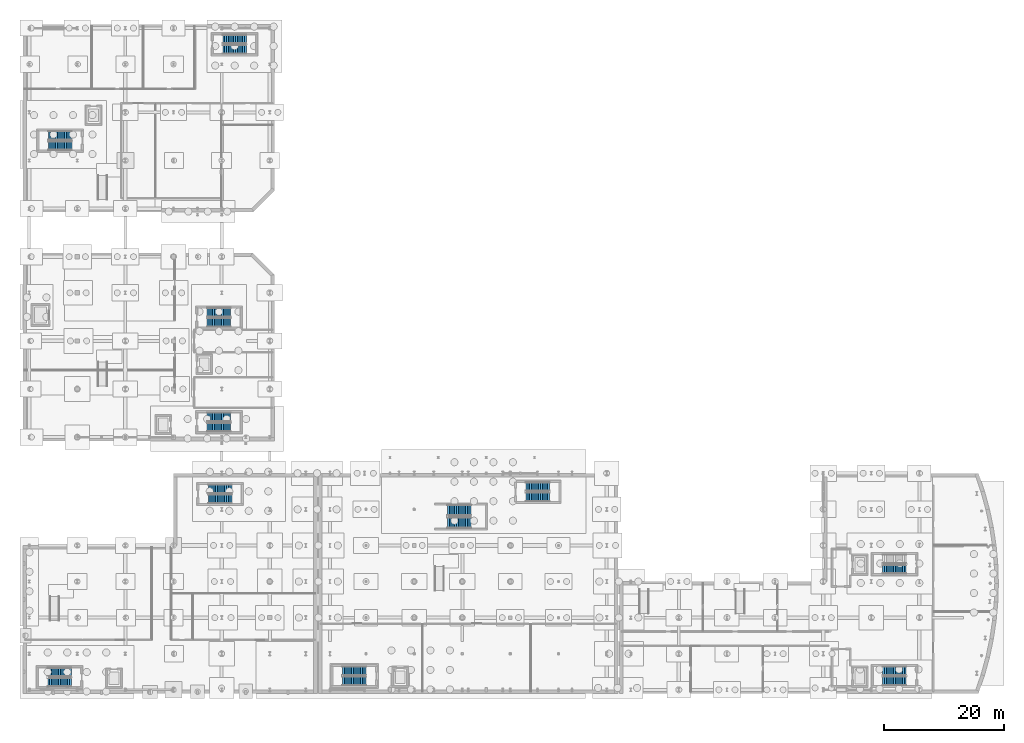
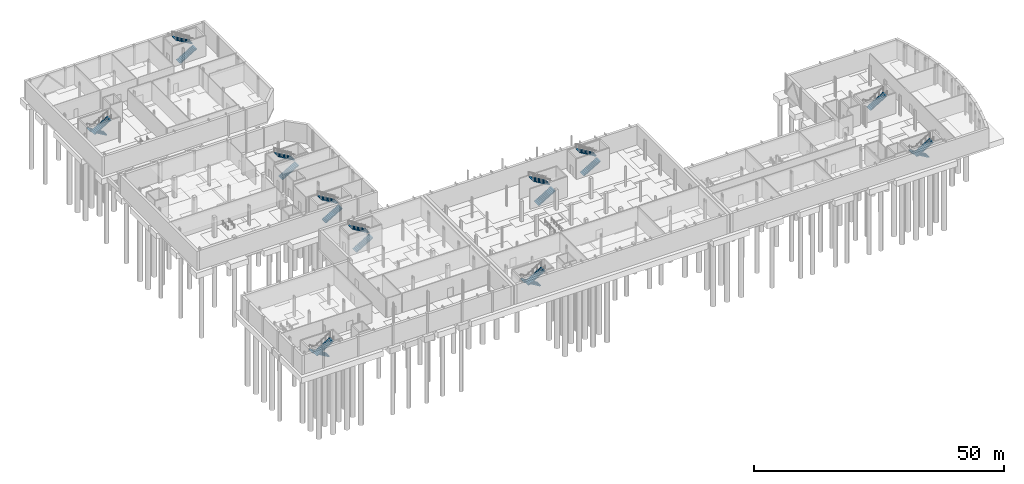
# One storey, part 30 of 47: 21 stair flights, 11 elements without a shape of their own.
"""IFC4 building model written with IfcOpenShell, lengths in metres."""

from ifc_helpers import new_model, si_unit, direction, frame, origin, place, context, subcontext, project, spatial, polyline, outline, extrude, material, type_object, element, aggregate, save


model = new_model("IFC4")

# Units and contexts
model_context = context("Model", 3, precision=1e-05, world=origin(), true_north=direction((0.0, 1.0)))
body_context = subcontext(model_context, "Body", "Model", "MODEL_VIEW")
ifc_project = project(units=[si_unit("LENGTHUNIT", "METRE"), si_unit("AREAUNIT", "SQUARE_METRE"), si_unit("VOLUMEUNIT", "CUBIC_METRE"), si_unit("PLANEANGLEUNIT", "RADIAN"), si_unit("MASSUNIT", "GRAM", prefix="KILO")], contexts=[model_context])

# Site, building, storey
site_placement = place(None, origin())
site = spatial("IfcSite", under=ifc_project, at=site_placement, CompositionType="ELEMENT")
building_placement = place(site_placement, origin())
building = spatial("IfcBuilding", under=site, at=building_placement, Name="Cymarion Research Institute", CompositionType="ELEMENT")
storey_placement = place(building_placement, frame((0.0, 0.0, -5.0)))
storey = spatial("IfcBuildingStorey", under=building, at=storey_placement, Name="B1", CompositionType="ELEMENT", Elevation=-5.0)

# Stair, stair flights
ifc_material = material(Name="Concrete C35/45", Category="concrete")
stair_type = type_object("IfcStairType", Name="REINFORCED CONCRETE DOGLEG STAIR STR-5000", PredefinedType="HALF_TURN_STAIR", material=ifc_material)
stair_1_placement = place(storey_placement, origin())
stair_1 = element("IfcStair", 1, at=stair_1_placement, inside=storey, type_object=stair_type, Name="B1 Core C1 Smoke-Proof Exit Stair ST1", PredefinedType="HALF_TURN_STAIR")
stair_flight_type = type_object("IfcStairFlightType", Name="REINFORCED CONCRETE STAIR FLIGHT SFL-5000", PredefinedType="STRAIGHT", material=ifc_material)
stair_flight_1_placement = place(storey_placement, frame((152.39990234375, 8.639892578125, 0.0), z_axis=(0.0, 0.0, 1.0), x_axis=(-1.0, 0.0, 0.0)))
stair_flight_1 = element("IfcStairFlight", 2, at=stair_flight_1_placement, type_object=stair_flight_type, Name="ST1 flight 1", NumberOfRisers=14, NumberOfTreads=13, PredefinedType="STRAIGHT", RiserHeight=0.178571429, TreadLength=0.3, context=body_context, shape_type="SweptSolid", body=[
    extrude(outline(polyline([(0.0, 0.0), (0.0, 0.178466796875), (0.300048828125, 0.178466796875), (0.300048828125, 0.357177734375), (0.60009765625, 0.357177734375), (0.60009765625, 0.53564453125), (0.89990234375, 0.53564453125), (0.89990234375, 0.71435546875), (1.199951171875, 0.71435546875), (1.199951171875, 0.892822265625), (1.5, 0.892822265625), (1.5, 1.071533203125), (1.800048828125, 1.071533203125), (1.800048828125, 1.25), (2.10009765625, 1.25), (2.10009765625, 1.428466796875), (2.39990234375, 1.428466796875), (2.39990234375, 1.607177734375), (2.699951171875, 1.607177734375), (2.699951171875, 1.78564453125), (3.0, 1.78564453125), (3.0, 1.96435546875), (3.300048828125, 1.96435546875), (3.300048828125, 2.142822265625), (3.60009765625, 2.142822265625), (3.60009765625, 2.321533203125), (3.89990234375, 2.321533203125), (3.89990234375, 2.5), (3.89990234375, 2.14697265625), (0.29296875, 0.0), (0.0, 0.0)])), frame((0.0, 0.760009765625, 0.0), z_axis=(0.0, -1.0, 0.0), x_axis=(1.0, 0.0, 0.0)), (0.0, 0.0, 1.0), 1.52001953125),
])
stair_flight_2_placement = place(storey_placement, frame((148.5, 6.9599609375, 2.5), z_axis=(0.0, 0.0, 1.0), x_axis=(1.0, 0.0, 0.0)))
stair_flight_2 = element("IfcStairFlight", 3, at=stair_flight_2_placement, type_object=stair_flight_type, Name="ST1 flight 2", NumberOfRisers=14, NumberOfTreads=13, PredefinedType="STRAIGHT", RiserHeight=0.178571429, TreadLength=0.3, context=body_context, shape_type="SweptSolid", body=[
    extrude(outline(polyline([(0.0, 0.0), (0.0, 0.178466796875), (0.300048828125, 0.178466796875), (0.300048828125, 0.357177734375), (0.60009765625, 0.357177734375), (0.60009765625, 0.53564453125), (0.89990234375, 0.53564453125), (0.89990234375, 0.71435546875), (1.199951171875, 0.71435546875), (1.199951171875, 0.892822265625), (1.5, 0.892822265625), (1.5, 1.071533203125), (1.800048828125, 1.071533203125), (1.800048828125, 1.25), (2.10009765625, 1.25), (2.10009765625, 1.428466796875), (2.39990234375, 1.428466796875), (2.39990234375, 1.607177734375), (2.699951171875, 1.607177734375), (2.699951171875, 1.78564453125), (3.0, 1.78564453125), (3.0, 1.96435546875), (3.300048828125, 1.96435546875), (3.300048828125, 2.142822265625), (3.60009765625, 2.142822265625), (3.60009765625, 2.321533203125), (3.89990234375, 2.321533203125), (3.89990234375, 2.5), (3.89990234375, 2.14697265625), (0.29296875, 0.0), (0.0, 0.0)])), frame((0.0, 0.760009765625, 0.0), z_axis=(0.0, -1.0, 0.0), x_axis=(1.0, 0.0, 0.0)), (0.0, 0.0, 1.0), 1.52001953125),
])
aggregate(stair_1, [stair_flight_1, stair_flight_2])

# Stair, stair flight
stair_2_placement = place(storey_placement, origin())
stair_2 = element("IfcStair", 4, at=stair_2_placement, inside=storey, type_object=stair_type, Name="B1 Core C2 Smoke-Proof Exit Stair ST2", PredefinedType="HALF_TURN_STAIR")
stair_flight_3_placement = place(storey_placement, frame((148.5, 25.56005859375, 2.5), z_axis=(0.0, 0.0, 1.0), x_axis=(1.0, 0.0, 0.0)))
stair_flight_3 = element("IfcStairFlight", 5, at=stair_flight_3_placement, type_object=stair_flight_type, Name="ST2 flight 2", NumberOfRisers=14, NumberOfTreads=13, PredefinedType="STRAIGHT", RiserHeight=0.178571429, TreadLength=0.3, context=body_context, shape_type="SweptSolid", body=[
    extrude(outline(polyline([(0.0, 0.0), (0.0, 0.178466796875), (0.300048828125, 0.178466796875), (0.300048828125, 0.357177734375), (0.60009765625, 0.357177734375), (0.60009765625, 0.53564453125), (0.89990234375, 0.53564453125), (0.89990234375, 0.71435546875), (1.199951171875, 0.71435546875), (1.199951171875, 0.892822265625), (1.5, 0.892822265625), (1.5, 1.071533203125), (1.800048828125, 1.071533203125), (1.800048828125, 1.25), (2.10009765625, 1.25), (2.10009765625, 1.428466796875), (2.39990234375, 1.428466796875), (2.39990234375, 1.607177734375), (2.699951171875, 1.607177734375), (2.699951171875, 1.78564453125), (3.0, 1.78564453125), (3.0, 1.96435546875), (3.300048828125, 1.96435546875), (3.300048828125, 2.142822265625), (3.60009765625, 2.142822265625), (3.60009765625, 2.321533203125), (3.89990234375, 2.321533203125), (3.89990234375, 2.5), (3.89990234375, 2.14697265625), (0.29296875, 0.0), (0.0, 0.0)])), frame((0.0, 0.760009765625, 0.0), z_axis=(0.0, -1.0, 0.0), x_axis=(1.0, 0.0, 0.0)), (0.0, 0.0, 1.0), 1.52001953125),
])
aggregate(stair_2, [stair_flight_3])

# Stair, stair flights
stair_3_placement = place(storey_placement, origin())
stair_3 = element("IfcStair", 6, at=stair_3_placement, inside=storey, type_object=stair_type, Name="B1 Core C3 Smoke-Proof Exit Stair ST3", PredefinedType="HALF_TURN_STAIR")
stair_flight_4_placement = place(storey_placement, frame((62.60009765625, 8.639892578125, 0.0), z_axis=(0.0, 0.0, 1.0), x_axis=(-1.0, 0.0, 0.0)))
stair_flight_4 = element("IfcStairFlight", 7, at=stair_flight_4_placement, type_object=stair_flight_type, Name="ST3 flight 1", NumberOfRisers=14, NumberOfTreads=13, PredefinedType="STRAIGHT", RiserHeight=0.178571429, TreadLength=0.3, context=body_context, shape_type="SweptSolid", body=[
    extrude(outline(polyline([(0.0, 0.0), (0.0, 0.178466796875), (0.300048828125, 0.178466796875), (0.300048828125, 0.357177734375), (0.60009765625, 0.357177734375), (0.60009765625, 0.53564453125), (0.89990234375, 0.53564453125), (0.89990234375, 0.71435546875), (1.199951171875, 0.71435546875), (1.199951171875, 0.892822265625), (1.5, 0.892822265625), (1.5, 1.071533203125), (1.800048828125, 1.071533203125), (1.800048828125, 1.25), (2.10009765625, 1.25), (2.10009765625, 1.428466796875), (2.39990234375, 1.428466796875), (2.39990234375, 1.607177734375), (2.699951171875, 1.607177734375), (2.699951171875, 1.78564453125), (3.0, 1.78564453125), (3.0, 1.96435546875), (3.300048828125, 1.96435546875), (3.300048828125, 2.142822265625), (3.60009765625, 2.142822265625), (3.60009765625, 2.321533203125), (3.89990234375, 2.321533203125), (3.89990234375, 2.5), (3.89990234375, 2.14697265625), (0.29296875, 0.0), (0.0, 0.0)])), frame((0.0, 0.760009765625, 0.0), z_axis=(0.0, -1.0, 0.0), x_axis=(1.0, 0.0, 0.0)), (0.0, 0.0, 1.0), 1.52001953125),
])
stair_flight_5_placement = place(storey_placement, frame((58.699951171875, 6.9599609375, 2.5), z_axis=(0.0, 0.0, 1.0), x_axis=(1.0, 0.0, 0.0)))
stair_flight_5 = element("IfcStairFlight", 8, at=stair_flight_5_placement, type_object=stair_flight_type, Name="ST3 flight 2", NumberOfRisers=14, NumberOfTreads=13, PredefinedType="STRAIGHT", RiserHeight=0.178571429, TreadLength=0.3, context=body_context, shape_type="SweptSolid", body=[
    extrude(outline(polyline([(0.0, 0.0), (0.0, 0.178466796875), (0.300048828125, 0.178466796875), (0.300048828125, 0.357177734375), (0.60009765625, 0.357177734375), (0.60009765625, 0.53564453125), (0.89990234375, 0.53564453125), (0.89990234375, 0.71435546875), (1.199951171875, 0.71435546875), (1.199951171875, 0.892822265625), (1.5, 0.892822265625), (1.5, 1.071533203125), (1.800048828125, 1.071533203125), (1.800048828125, 1.25), (2.10009765625, 1.25), (2.10009765625, 1.428466796875), (2.39990234375, 1.428466796875), (2.39990234375, 1.607177734375), (2.699951171875, 1.607177734375), (2.699951171875, 1.78564453125), (3.0, 1.78564453125), (3.0, 1.96435546875), (3.300048828125, 1.96435546875), (3.300048828125, 2.142822265625), (3.60009765625, 2.142822265625), (3.60009765625, 2.321533203125), (3.89990234375, 2.321533203125), (3.89990234375, 2.5), (3.89990234375, 2.14697265625), (0.29296875, 0.0), (0.0, 0.0)])), frame((0.0, 0.760009765625, 0.0), z_axis=(0.0, -1.0, 0.0), x_axis=(1.0, 0.0, 0.0)), (0.0, 0.0, 1.0), 1.52001953125),
])
aggregate(stair_3, [stair_flight_4, stair_flight_5])

stair_4_placement = place(storey_placement, origin())
stair_4 = element("IfcStair", 9, at=stair_4_placement, inside=storey, type_object=stair_type, Name="B1 Core C4 Smoke-Proof Exit Stair ST4", PredefinedType="HALF_TURN_STAIR")
stair_flight_6_placement = place(storey_placement, frame((89.199951171875, 37.56005859375, 0.0), z_axis=(0.0, 0.0, 1.0), x_axis=(1.0, 0.0, 0.0)))
stair_flight_6 = element("IfcStairFlight", 10, at=stair_flight_6_placement, type_object=stair_flight_type, Name="ST4 flight 1", NumberOfRisers=14, NumberOfTreads=13, PredefinedType="STRAIGHT", RiserHeight=0.178571429, TreadLength=0.3, context=body_context, shape_type="SweptSolid", body=[
    extrude(outline(polyline([(0.0, 0.0), (0.0, 0.178466796875), (0.300048828125, 0.178466796875), (0.300048828125, 0.357177734375), (0.60009765625, 0.357177734375), (0.60009765625, 0.53564453125), (0.89990234375, 0.53564453125), (0.89990234375, 0.71435546875), (1.199951171875, 0.71435546875), (1.199951171875, 0.892822265625), (1.5, 0.892822265625), (1.5, 1.071533203125), (1.800048828125, 1.071533203125), (1.800048828125, 1.25), (2.10009765625, 1.25), (2.10009765625, 1.428466796875), (2.39990234375, 1.428466796875), (2.39990234375, 1.607177734375), (2.699951171875, 1.607177734375), (2.699951171875, 1.78564453125), (3.0, 1.78564453125), (3.0, 1.96435546875), (3.300048828125, 1.96435546875), (3.300048828125, 2.142822265625), (3.60009765625, 2.142822265625), (3.60009765625, 2.321533203125), (3.89990234375, 2.321533203125), (3.89990234375, 2.5), (3.89990234375, 2.14697265625), (0.29296875, 0.0), (0.0, 0.0)])), frame((0.0, 0.760009765625, 0.0), z_axis=(0.0, -1.0, 0.0), x_axis=(1.0, 0.0, 0.0)), (0.0, 0.0, 1.0), 1.52001953125),
])
stair_flight_7_placement = place(storey_placement, frame((93.10009765625, 39.239990234375, 2.5), z_axis=(0.0, 0.0, 1.0), x_axis=(-1.0, 0.0, 0.0)))
stair_flight_7 = element("IfcStairFlight", 11, at=stair_flight_7_placement, type_object=stair_flight_type, Name="ST4 flight 2", NumberOfRisers=14, NumberOfTreads=13, PredefinedType="STRAIGHT", RiserHeight=0.178571429, TreadLength=0.3, context=body_context, shape_type="SweptSolid", body=[
    extrude(outline(polyline([(0.0, 0.0), (0.0, 0.178466796875), (0.300048828125, 0.178466796875), (0.300048828125, 0.357177734375), (0.60009765625, 0.357177734375), (0.60009765625, 0.53564453125), (0.89990234375, 0.53564453125), (0.89990234375, 0.71435546875), (1.199951171875, 0.71435546875), (1.199951171875, 0.892822265625), (1.5, 0.892822265625), (1.5, 1.071533203125), (1.800048828125, 1.071533203125), (1.800048828125, 1.25), (2.10009765625, 1.25), (2.10009765625, 1.428466796875), (2.39990234375, 1.428466796875), (2.39990234375, 1.607177734375), (2.699951171875, 1.607177734375), (2.699951171875, 1.78564453125), (3.0, 1.78564453125), (3.0, 1.96435546875), (3.300048828125, 1.96435546875), (3.300048828125, 2.142822265625), (3.60009765625, 2.142822265625), (3.60009765625, 2.321533203125), (3.89990234375, 2.321533203125), (3.89990234375, 2.5), (3.89990234375, 2.14697265625), (0.29296875, 0.0), (0.0, 0.0)])), frame((0.0, 0.760009765625, 0.0), z_axis=(0.0, -1.0, 0.0), x_axis=(1.0, 0.0, 0.0)), (0.0, 0.0, 1.0), 1.52001953125),
])
aggregate(stair_4, [stair_flight_6, stair_flight_7])

stair_5_placement = place(storey_placement, origin())
stair_5 = element("IfcStair", 12, at=stair_5_placement, inside=storey, type_object=stair_type, Name="B1 Core C5 Smoke-Proof Exit Stair ST5", PredefinedType="HALF_TURN_STAIR")
stair_flight_8_placement = place(storey_placement, frame((13.60009765625, 8.43994140625, 0.0), z_axis=(0.0, 0.0, 1.0), x_axis=(-1.0, 0.0, 0.0)))
stair_flight_8 = element("IfcStairFlight", 13, at=stair_flight_8_placement, type_object=stair_flight_type, Name="ST5 flight 1", NumberOfRisers=14, NumberOfTreads=13, PredefinedType="STRAIGHT", RiserHeight=0.178571429, TreadLength=0.3, context=body_context, shape_type="SweptSolid", body=[
    extrude(outline(polyline([(0.0, 0.0), (0.0, 0.178466796875), (0.300048828125, 0.178466796875), (0.300048828125, 0.357177734375), (0.60009765625, 0.357177734375), (0.60009765625, 0.53564453125), (0.89990234375, 0.53564453125), (0.89990234375, 0.71435546875), (1.199951171875, 0.71435546875), (1.199951171875, 0.892822265625), (1.5, 0.892822265625), (1.5, 1.071533203125), (1.800048828125, 1.071533203125), (1.800048828125, 1.25), (2.10009765625, 1.25), (2.10009765625, 1.428466796875), (2.39990234375, 1.428466796875), (2.39990234375, 1.607177734375), (2.699951171875, 1.607177734375), (2.699951171875, 1.78564453125), (3.0, 1.78564453125), (3.0, 1.96435546875), (3.300048828125, 1.96435546875), (3.300048828125, 2.142822265625), (3.60009765625, 2.142822265625), (3.60009765625, 2.321533203125), (3.89990234375, 2.321533203125), (3.89990234375, 2.5), (3.89990234375, 2.14697265625), (0.29296875, 0.0), (0.0, 0.0)])), frame((0.0, 0.760009765625, 0.0), z_axis=(0.0, -1.0, 0.0), x_axis=(1.0, 0.0, 0.0)), (0.0, 0.0, 1.0), 1.52001953125),
])
stair_flight_9_placement = place(storey_placement, frame((9.699951171875, 6.760009765625, 2.5), z_axis=(0.0, 0.0, 1.0), x_axis=(1.0, 0.0, 0.0)))
stair_flight_9 = element("IfcStairFlight", 14, at=stair_flight_9_placement, type_object=stair_flight_type, Name="ST5 flight 2", NumberOfRisers=14, NumberOfTreads=13, PredefinedType="STRAIGHT", RiserHeight=0.178571429, TreadLength=0.3, context=body_context, shape_type="SweptSolid", body=[
    extrude(outline(polyline([(0.0, 0.0), (0.0, 0.178466796875), (0.300048828125, 0.178466796875), (0.300048828125, 0.357177734375), (0.60009765625, 0.357177734375), (0.60009765625, 0.53564453125), (0.89990234375, 0.53564453125), (0.89990234375, 0.71435546875), (1.199951171875, 0.71435546875), (1.199951171875, 0.892822265625), (1.5, 0.892822265625), (1.5, 1.071533203125), (1.800048828125, 1.071533203125), (1.800048828125, 1.25), (2.10009765625, 1.25), (2.10009765625, 1.428466796875), (2.39990234375, 1.428466796875), (2.39990234375, 1.607177734375), (2.699951171875, 1.607177734375), (2.699951171875, 1.78564453125), (3.0, 1.78564453125), (3.0, 1.96435546875), (3.300048828125, 1.96435546875), (3.300048828125, 2.142822265625), (3.60009765625, 2.142822265625), (3.60009765625, 2.321533203125), (3.89990234375, 2.321533203125), (3.89990234375, 2.5), (3.89990234375, 2.14697265625), (0.29296875, 0.0), (0.0, 0.0)])), frame((0.0, 0.760009765625, 0.0), z_axis=(0.0, -1.0, 0.0), x_axis=(1.0, 0.0, 0.0)), (0.0, 0.0, 1.0), 1.52001953125),
])
aggregate(stair_5, [stair_flight_8, stair_flight_9])

stair_6_placement = place(storey_placement, origin())
stair_6 = element("IfcStair", 15, at=stair_6_placement, inside=storey, type_object=stair_type, Name="B1 Core C6 Smoke-Proof Exit Stair ST6", PredefinedType="HALF_TURN_STAIR")
stair_flight_10_placement = place(storey_placement, frame((36.39990234375, 37.2099609375, 0.0), z_axis=(0.0, 0.0, 1.0), x_axis=(1.0, 0.0, 0.0)))
stair_flight_10 = element("IfcStairFlight", 16, at=stair_flight_10_placement, type_object=stair_flight_type, Name="ST6 flight 1", NumberOfRisers=14, NumberOfTreads=13, PredefinedType="STRAIGHT", RiserHeight=0.178571429, TreadLength=0.3, context=body_context, shape_type="SweptSolid", body=[
    extrude(outline(polyline([(0.0, 0.0), (0.0, 0.178466796875), (0.300048828125, 0.178466796875), (0.300048828125, 0.357177734375), (0.60009765625, 0.357177734375), (0.60009765625, 0.53564453125), (0.89990234375, 0.53564453125), (0.89990234375, 0.71435546875), (1.199951171875, 0.71435546875), (1.199951171875, 0.892822265625), (1.5, 0.892822265625), (1.5, 1.071533203125), (1.800048828125, 1.071533203125), (1.800048828125, 1.25), (2.10009765625, 1.25), (2.10009765625, 1.428466796875), (2.39990234375, 1.428466796875), (2.39990234375, 1.607177734375), (2.699951171875, 1.607177734375), (2.699951171875, 1.78564453125), (3.0, 1.78564453125), (3.0, 1.96435546875), (3.300048828125, 1.96435546875), (3.300048828125, 2.142822265625), (3.60009765625, 2.142822265625), (3.60009765625, 2.321533203125), (3.89990234375, 2.321533203125), (3.89990234375, 2.5), (3.89990234375, 2.14697265625), (0.29296875, 0.0), (0.0, 0.0)])), frame((0.0, 0.760009765625, 0.0), z_axis=(0.0, -1.0, 0.0), x_axis=(1.0, 0.0, 0.0)), (0.0, 0.0, 1.0), 1.52001953125),
])
stair_flight_11_placement = place(storey_placement, frame((40.300048828125, 38.889892578125, 2.5), z_axis=(0.0, 0.0, 1.0), x_axis=(-1.0, 0.0, 0.0)))
stair_flight_11 = element("IfcStairFlight", 17, at=stair_flight_11_placement, type_object=stair_flight_type, Name="ST6 flight 2", NumberOfRisers=14, NumberOfTreads=13, PredefinedType="STRAIGHT", RiserHeight=0.178571429, TreadLength=0.3, context=body_context, shape_type="SweptSolid", body=[
    extrude(outline(polyline([(0.0, 0.0), (0.0, 0.178466796875), (0.300048828125, 0.178466796875), (0.300048828125, 0.357177734375), (0.60009765625, 0.357177734375), (0.60009765625, 0.53564453125), (0.89990234375, 0.53564453125), (0.89990234375, 0.71435546875), (1.199951171875, 0.71435546875), (1.199951171875, 0.892822265625), (1.5, 0.892822265625), (1.5, 1.071533203125), (1.800048828125, 1.071533203125), (1.800048828125, 1.25), (2.10009765625, 1.25), (2.10009765625, 1.428466796875), (2.39990234375, 1.428466796875), (2.39990234375, 1.607177734375), (2.699951171875, 1.607177734375), (2.699951171875, 1.78564453125), (3.0, 1.78564453125), (3.0, 1.96435546875), (3.300048828125, 1.96435546875), (3.300048828125, 2.142822265625), (3.60009765625, 2.142822265625), (3.60009765625, 2.321533203125), (3.89990234375, 2.321533203125), (3.89990234375, 2.5), (3.89990234375, 2.14697265625), (0.29296875, 0.0), (0.0, 0.0)])), frame((0.0, 0.760009765625, 0.0), z_axis=(0.0, -1.0, 0.0), x_axis=(1.0, 0.0, 0.0)), (0.0, 0.0, 1.0), 1.52001953125),
])
aggregate(stair_6, [stair_flight_10, stair_flight_11])

stair_7_placement = place(storey_placement, origin())
stair_7 = element("IfcStair", 18, at=stair_7_placement, inside=storey, type_object=stair_type, Name="B1 Core C7 Smoke-Proof Exit Stair ST7", PredefinedType="HALF_TURN_STAIR")
stair_flight_12_placement = place(storey_placement, frame((36.199951171875, 49.159912109375, 0.0), z_axis=(0.0, 0.0, 1.0), x_axis=(1.0, 0.0, 0.0)))
stair_flight_12 = element("IfcStairFlight", 19, at=stair_flight_12_placement, type_object=stair_flight_type, Name="ST7 flight 1", NumberOfRisers=14, NumberOfTreads=13, PredefinedType="STRAIGHT", RiserHeight=0.178571429, TreadLength=0.3, context=body_context, shape_type="SweptSolid", body=[
    extrude(outline(polyline([(0.0, 0.0), (0.0, 0.178466796875), (0.300048828125, 0.178466796875), (0.300048828125, 0.357177734375), (0.60009765625, 0.357177734375), (0.60009765625, 0.53564453125), (0.89990234375, 0.53564453125), (0.89990234375, 0.71435546875), (1.199951171875, 0.71435546875), (1.199951171875, 0.892822265625), (1.5, 0.892822265625), (1.5, 1.071533203125), (1.800048828125, 1.071533203125), (1.800048828125, 1.25), (2.10009765625, 1.25), (2.10009765625, 1.428466796875), (2.39990234375, 1.428466796875), (2.39990234375, 1.607177734375), (2.699951171875, 1.607177734375), (2.699951171875, 1.78564453125), (3.0, 1.78564453125), (3.0, 1.96435546875), (3.300048828125, 1.96435546875), (3.300048828125, 2.142822265625), (3.60009765625, 2.142822265625), (3.60009765625, 2.321533203125), (3.89990234375, 2.321533203125), (3.89990234375, 2.5), (3.89990234375, 2.14697265625), (0.29296875, 0.0), (0.0, 0.0)])), frame((0.0, 0.760009765625, 0.0), z_axis=(0.0, -1.0, 0.0), x_axis=(1.0, 0.0, 0.0)), (0.0, 0.0, 1.0), 1.52001953125),
])
stair_flight_13_placement = place(storey_placement, frame((40.10009765625, 50.840087890625, 2.5), z_axis=(0.0, 0.0, 1.0), x_axis=(-1.0, 0.0, 0.0)))
stair_flight_13 = element("IfcStairFlight", 20, at=stair_flight_13_placement, type_object=stair_flight_type, Name="ST7 flight 2", NumberOfRisers=14, NumberOfTreads=13, PredefinedType="STRAIGHT", RiserHeight=0.178571429, TreadLength=0.3, context=body_context, shape_type="SweptSolid", body=[
    extrude(outline(polyline([(0.0, 0.0), (0.0, 0.178466796875), (0.300048828125, 0.178466796875), (0.300048828125, 0.357177734375), (0.60009765625, 0.357177734375), (0.60009765625, 0.53564453125), (0.89990234375, 0.53564453125), (0.89990234375, 0.71435546875), (1.199951171875, 0.71435546875), (1.199951171875, 0.892822265625), (1.5, 0.892822265625), (1.5, 1.071533203125), (1.800048828125, 1.071533203125), (1.800048828125, 1.25), (2.10009765625, 1.25), (2.10009765625, 1.428466796875), (2.39990234375, 1.428466796875), (2.39990234375, 1.607177734375), (2.699951171875, 1.607177734375), (2.699951171875, 1.78564453125), (3.0, 1.78564453125), (3.0, 1.96435546875), (3.300048828125, 1.96435546875), (3.300048828125, 2.142822265625), (3.60009765625, 2.142822265625), (3.60009765625, 2.321533203125), (3.89990234375, 2.321533203125), (3.89990234375, 2.5), (3.89990234375, 2.14697265625), (0.29296875, 0.0), (0.0, 0.0)])), frame((0.0, 0.760009765625, 0.0), z_axis=(0.0, -1.0, 0.0), x_axis=(1.0, 0.0, 0.0)), (0.0, 0.0, 1.0), 1.52001953125),
])
aggregate(stair_7, [stair_flight_12, stair_flight_13])

stair_8_placement = place(storey_placement, origin())
stair_8 = element("IfcStair", 21, at=stair_8_placement, inside=storey, type_object=stair_type, Name="B1 Core C8 Smoke-Proof Exit Stair ST8", PredefinedType="HALF_TURN_STAIR")
stair_flight_14_placement = place(storey_placement, frame((36.199951171875, 66.56005859375, 0.0), z_axis=(0.0, 0.0, 1.0), x_axis=(1.0, 0.0, 0.0)))
stair_flight_14 = element("IfcStairFlight", 22, at=stair_flight_14_placement, type_object=stair_flight_type, Name="ST8 flight 1", NumberOfRisers=14, NumberOfTreads=13, PredefinedType="STRAIGHT", RiserHeight=0.178571429, TreadLength=0.3, context=body_context, shape_type="SweptSolid", body=[
    extrude(outline(polyline([(0.0, 0.0), (0.0, 0.178466796875), (0.300048828125, 0.178466796875), (0.300048828125, 0.357177734375), (0.60009765625, 0.357177734375), (0.60009765625, 0.53564453125), (0.89990234375, 0.53564453125), (0.89990234375, 0.71435546875), (1.199951171875, 0.71435546875), (1.199951171875, 0.892822265625), (1.5, 0.892822265625), (1.5, 1.071533203125), (1.800048828125, 1.071533203125), (1.800048828125, 1.25), (2.10009765625, 1.25), (2.10009765625, 1.428466796875), (2.39990234375, 1.428466796875), (2.39990234375, 1.607177734375), (2.699951171875, 1.607177734375), (2.699951171875, 1.78564453125), (3.0, 1.78564453125), (3.0, 1.96435546875), (3.300048828125, 1.96435546875), (3.300048828125, 2.142822265625), (3.60009765625, 2.142822265625), (3.60009765625, 2.321533203125), (3.89990234375, 2.321533203125), (3.89990234375, 2.5), (3.89990234375, 2.14697265625), (0.29296875, 0.0), (0.0, 0.0)])), frame((0.0, 0.760009765625, 0.0), z_axis=(0.0, -1.0, 0.0), x_axis=(1.0, 0.0, 0.0)), (0.0, 0.0, 1.0), 1.52001953125),
])
stair_flight_15_placement = place(storey_placement, frame((40.10009765625, 68.239990234375, 2.5), z_axis=(0.0, 0.0, 1.0), x_axis=(-1.0, 0.0, 0.0)))
stair_flight_15 = element("IfcStairFlight", 23, at=stair_flight_15_placement, type_object=stair_flight_type, Name="ST8 flight 2", NumberOfRisers=14, NumberOfTreads=13, PredefinedType="STRAIGHT", RiserHeight=0.178571429, TreadLength=0.3, context=body_context, shape_type="SweptSolid", body=[
    extrude(outline(polyline([(0.0, 0.0), (0.0, 0.178466796875), (0.300048828125, 0.178466796875), (0.300048828125, 0.357177734375), (0.60009765625, 0.357177734375), (0.60009765625, 0.53564453125), (0.89990234375, 0.53564453125), (0.89990234375, 0.71435546875), (1.199951171875, 0.71435546875), (1.199951171875, 0.892822265625), (1.5, 0.892822265625), (1.5, 1.071533203125), (1.800048828125, 1.071533203125), (1.800048828125, 1.25), (2.10009765625, 1.25), (2.10009765625, 1.428466796875), (2.39990234375, 1.428466796875), (2.39990234375, 1.607177734375), (2.699951171875, 1.607177734375), (2.699951171875, 1.78564453125), (3.0, 1.78564453125), (3.0, 1.96435546875), (3.300048828125, 1.96435546875), (3.300048828125, 2.142822265625), (3.60009765625, 2.142822265625), (3.60009765625, 2.321533203125), (3.89990234375, 2.321533203125), (3.89990234375, 2.5), (3.89990234375, 2.14697265625), (0.29296875, 0.0), (0.0, 0.0)])), frame((0.0, 0.760009765625, 0.0), z_axis=(0.0, -1.0, 0.0), x_axis=(1.0, 0.0, 0.0)), (0.0, 0.0, 1.0), 1.52001953125),
])
aggregate(stair_8, [stair_flight_14, stair_flight_15])

stair_9_placement = place(storey_placement, origin())
stair_9 = element("IfcStair", 24, at=stair_9_placement, inside=storey, type_object=stair_type, Name="B1 Core C9 Smoke-Proof Exit Stair ST9", PredefinedType="HALF_TURN_STAIR")
stair_flight_16_placement = place(storey_placement, frame((13.699951171875, 97.639892578125, 0.0), z_axis=(0.0, 0.0, 1.0), x_axis=(-1.0, 0.0, 0.0)))
stair_flight_16 = element("IfcStairFlight", 25, at=stair_flight_16_placement, type_object=stair_flight_type, Name="ST9 flight 1", NumberOfRisers=14, NumberOfTreads=13, PredefinedType="STRAIGHT", RiserHeight=0.178571429, TreadLength=0.3, context=body_context, shape_type="SweptSolid", body=[
    extrude(outline(polyline([(0.0, 0.0), (0.0, 0.178466796875), (0.300048828125, 0.178466796875), (0.300048828125, 0.357177734375), (0.60009765625, 0.357177734375), (0.60009765625, 0.53564453125), (0.89990234375, 0.53564453125), (0.89990234375, 0.71435546875), (1.199951171875, 0.71435546875), (1.199951171875, 0.892822265625), (1.5, 0.892822265625), (1.5, 1.071533203125), (1.800048828125, 1.071533203125), (1.800048828125, 1.25), (2.10009765625, 1.25), (2.10009765625, 1.428466796875), (2.39990234375, 1.428466796875), (2.39990234375, 1.607177734375), (2.699951171875, 1.607177734375), (2.699951171875, 1.78564453125), (3.0, 1.78564453125), (3.0, 1.96435546875), (3.300048828125, 1.96435546875), (3.300048828125, 2.142822265625), (3.60009765625, 2.142822265625), (3.60009765625, 2.321533203125), (3.89990234375, 2.321533203125), (3.89990234375, 2.5), (3.89990234375, 2.14697265625), (0.29296875, 0.0), (0.0, 0.0)])), frame((0.0, 0.760009765625, 0.0), z_axis=(0.0, -1.0, 0.0), x_axis=(1.0, 0.0, 0.0)), (0.0, 0.0, 1.0), 1.52001953125),
])
stair_flight_17_placement = place(storey_placement, frame((9.800048828125, 95.9599609375, 2.5), z_axis=(0.0, 0.0, 1.0), x_axis=(1.0, 0.0, 0.0)))
stair_flight_17 = element("IfcStairFlight", 26, at=stair_flight_17_placement, type_object=stair_flight_type, Name="ST9 flight 2", NumberOfRisers=14, NumberOfTreads=13, PredefinedType="STRAIGHT", RiserHeight=0.178571429, TreadLength=0.3, context=body_context, shape_type="SweptSolid", body=[
    extrude(outline(polyline([(0.0, 0.0), (0.0, 0.178466796875), (0.300048828125, 0.178466796875), (0.300048828125, 0.357177734375), (0.60009765625, 0.357177734375), (0.60009765625, 0.53564453125), (0.89990234375, 0.53564453125), (0.89990234375, 0.71435546875), (1.199951171875, 0.71435546875), (1.199951171875, 0.892822265625), (1.5, 0.892822265625), (1.5, 1.071533203125), (1.800048828125, 1.071533203125), (1.800048828125, 1.25), (2.10009765625, 1.25), (2.10009765625, 1.428466796875), (2.39990234375, 1.428466796875), (2.39990234375, 1.607177734375), (2.699951171875, 1.607177734375), (2.699951171875, 1.78564453125), (3.0, 1.78564453125), (3.0, 1.96435546875), (3.300048828125, 1.96435546875), (3.300048828125, 2.142822265625), (3.60009765625, 2.142822265625), (3.60009765625, 2.321533203125), (3.89990234375, 2.321533203125), (3.89990234375, 2.5), (3.89990234375, 2.14697265625), (0.29296875, 0.0), (0.0, 0.0)])), frame((0.0, 0.760009765625, 0.0), z_axis=(0.0, -1.0, 0.0), x_axis=(1.0, 0.0, 0.0)), (0.0, 0.0, 1.0), 1.52001953125),
])
aggregate(stair_9, [stair_flight_16, stair_flight_17])

stair_10_placement = place(storey_placement, origin())
stair_10 = element("IfcStair", 27, at=stair_10_placement, inside=storey, type_object=stair_type, Name="B1 Core C10 Smoke-Proof Exit Stair ST10", PredefinedType="HALF_TURN_STAIR")
stair_flight_18_placement = place(storey_placement, frame((38.800048828125, 111.9599609375, 0.0), z_axis=(0.0, 0.0, 1.0), x_axis=(1.0, 0.0, 0.0)))
stair_flight_18 = element("IfcStairFlight", 28, at=stair_flight_18_placement, type_object=stair_flight_type, Name="ST10 flight 1", NumberOfRisers=14, NumberOfTreads=13, PredefinedType="STRAIGHT", RiserHeight=0.178571429, TreadLength=0.3, context=body_context, shape_type="SweptSolid", body=[
    extrude(outline(polyline([(0.0, 0.0), (0.0, 0.178466796875), (0.300048828125, 0.178466796875), (0.300048828125, 0.357177734375), (0.60009765625, 0.357177734375), (0.60009765625, 0.53564453125), (0.89990234375, 0.53564453125), (0.89990234375, 0.71435546875), (1.199951171875, 0.71435546875), (1.199951171875, 0.892822265625), (1.5, 0.892822265625), (1.5, 1.071533203125), (1.800048828125, 1.071533203125), (1.800048828125, 1.25), (2.10009765625, 1.25), (2.10009765625, 1.428466796875), (2.39990234375, 1.428466796875), (2.39990234375, 1.607177734375), (2.699951171875, 1.607177734375), (2.699951171875, 1.78564453125), (3.0, 1.78564453125), (3.0, 1.96435546875), (3.300048828125, 1.96435546875), (3.300048828125, 2.142822265625), (3.60009765625, 2.142822265625), (3.60009765625, 2.321533203125), (3.89990234375, 2.321533203125), (3.89990234375, 2.5), (3.89990234375, 2.14697265625), (0.29296875, 0.0), (0.0, 0.0)])), frame((0.0, 0.760009765625, 0.0), z_axis=(0.0, -1.0, 0.0), x_axis=(1.0, 0.0, 0.0)), (0.0, 0.0, 1.0), 1.52001953125),
])
stair_flight_19_placement = place(storey_placement, frame((42.699951171875, 113.639892578125, 2.5), z_axis=(0.0, 0.0, 1.0), x_axis=(-1.0, 0.0, 0.0)))
stair_flight_19 = element("IfcStairFlight", 29, at=stair_flight_19_placement, type_object=stair_flight_type, Name="ST10 flight 2", NumberOfRisers=14, NumberOfTreads=13, PredefinedType="STRAIGHT", RiserHeight=0.178571429, TreadLength=0.3, context=body_context, shape_type="SweptSolid", body=[
    extrude(outline(polyline([(0.0, 0.0), (0.0, 0.178466796875), (0.300048828125, 0.178466796875), (0.300048828125, 0.357177734375), (0.60009765625, 0.357177734375), (0.60009765625, 0.53564453125), (0.89990234375, 0.53564453125), (0.89990234375, 0.71435546875), (1.199951171875, 0.71435546875), (1.199951171875, 0.892822265625), (1.5, 0.892822265625), (1.5, 1.071533203125), (1.800048828125, 1.071533203125), (1.800048828125, 1.25), (2.10009765625, 1.25), (2.10009765625, 1.428466796875), (2.39990234375, 1.428466796875), (2.39990234375, 1.607177734375), (2.699951171875, 1.607177734375), (2.699951171875, 1.78564453125), (3.0, 1.78564453125), (3.0, 1.96435546875), (3.300048828125, 1.96435546875), (3.300048828125, 2.142822265625), (3.60009765625, 2.142822265625), (3.60009765625, 2.321533203125), (3.89990234375, 2.321533203125), (3.89990234375, 2.5), (3.89990234375, 2.14697265625), (0.29296875, 0.0), (0.0, 0.0)])), frame((0.0, 0.760009765625, 0.0), z_axis=(0.0, -1.0, 0.0), x_axis=(1.0, 0.0, 0.0)), (0.0, 0.0, 1.0), 1.52001953125),
])
aggregate(stair_10, [stair_flight_18, stair_flight_19])

stair_11_placement = place(storey_placement, origin())
stair_11 = element("IfcStair", 30, at=stair_11_placement, inside=storey, type_object=stair_type, Name="B1 Monumental Concourse Stair ST11", PredefinedType="HALF_TURN_STAIR")
stair_flight_20_placement = place(storey_placement, frame((76.14990234375, 33.25, 0.0), z_axis=(0.0, 0.0, 1.0), x_axis=(1.0, 0.0, 0.0)))
stair_flight_20 = element("IfcStairFlight", 31, at=stair_flight_20_placement, type_object=stair_flight_type, Name="ST11 flight 1", NumberOfRisers=14, NumberOfTreads=13, PredefinedType="STRAIGHT", RiserHeight=0.178571429, TreadLength=0.3, context=body_context, shape_type="SweptSolid", body=[
    extrude(outline(polyline([(0.0, 0.0), (0.0, 0.178466796875), (0.300048828125, 0.178466796875), (0.300048828125, 0.357177734375), (0.60009765625, 0.357177734375), (0.60009765625, 0.53564453125), (0.89990234375, 0.53564453125), (0.89990234375, 0.71435546875), (1.199951171875, 0.71435546875), (1.199951171875, 0.892822265625), (1.5, 0.892822265625), (1.5, 1.071533203125), (1.800048828125, 1.071533203125), (1.800048828125, 1.25), (2.10009765625, 1.25), (2.10009765625, 1.428466796875), (2.39990234375, 1.428466796875), (2.39990234375, 1.607177734375), (2.699951171875, 1.607177734375), (2.699951171875, 1.78564453125), (3.0, 1.78564453125), (3.0, 1.96435546875), (3.300048828125, 1.96435546875), (3.300048828125, 2.142822265625), (3.60009765625, 2.142822265625), (3.60009765625, 2.321533203125), (3.89990234375, 2.321533203125), (3.89990234375, 2.5), (3.89990234375, 2.14697265625), (0.29296875, 0.0), (0.0, 0.0)])), frame((0.0, 0.89990234375, 0.0), z_axis=(0.0, -1.0, 0.0), x_axis=(1.0, 0.0, 0.0)), (0.0, 0.0, 1.0), 1.800048828125),
])
stair_flight_21_placement = place(storey_placement, frame((80.050048828125, 35.35009765625, 2.5), z_axis=(0.0, 0.0, 1.0), x_axis=(-1.0, 0.0, 0.0)))
stair_flight_21 = element("IfcStairFlight", 32, at=stair_flight_21_placement, type_object=stair_flight_type, Name="ST11 flight 2", NumberOfRisers=14, NumberOfTreads=13, PredefinedType="STRAIGHT", RiserHeight=0.178571429, TreadLength=0.3, context=body_context, shape_type="SweptSolid", body=[
    extrude(outline(polyline([(0.0, 0.0), (0.0, 0.178466796875), (0.300048828125, 0.178466796875), (0.300048828125, 0.357177734375), (0.60009765625, 0.357177734375), (0.60009765625, 0.53564453125), (0.89990234375, 0.53564453125), (0.89990234375, 0.71435546875), (1.199951171875, 0.71435546875), (1.199951171875, 0.892822265625), (1.5, 0.892822265625), (1.5, 1.071533203125), (1.800048828125, 1.071533203125), (1.800048828125, 1.25), (2.10009765625, 1.25), (2.10009765625, 1.428466796875), (2.39990234375, 1.428466796875), (2.39990234375, 1.607177734375), (2.699951171875, 1.607177734375), (2.699951171875, 1.78564453125), (3.0, 1.78564453125), (3.0, 1.96435546875), (3.300048828125, 1.96435546875), (3.300048828125, 2.142822265625), (3.60009765625, 2.142822265625), (3.60009765625, 2.321533203125), (3.89990234375, 2.321533203125), (3.89990234375, 2.5), (3.89990234375, 2.14697265625), (0.29296875, 0.0), (0.0, 0.0)])), frame((0.0, 0.89990234375, 0.0), z_axis=(0.0, -1.0, 0.0), x_axis=(1.0, 0.0, 0.0)), (0.0, 0.0, 1.0), 1.800048828125),
])
aggregate(stair_11, [stair_flight_20, stair_flight_21])

save(model, "model.ifc")
